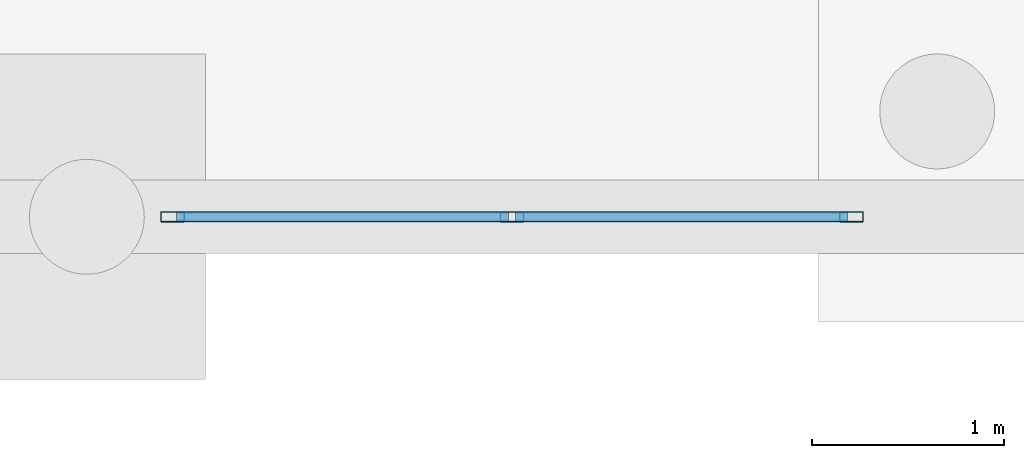
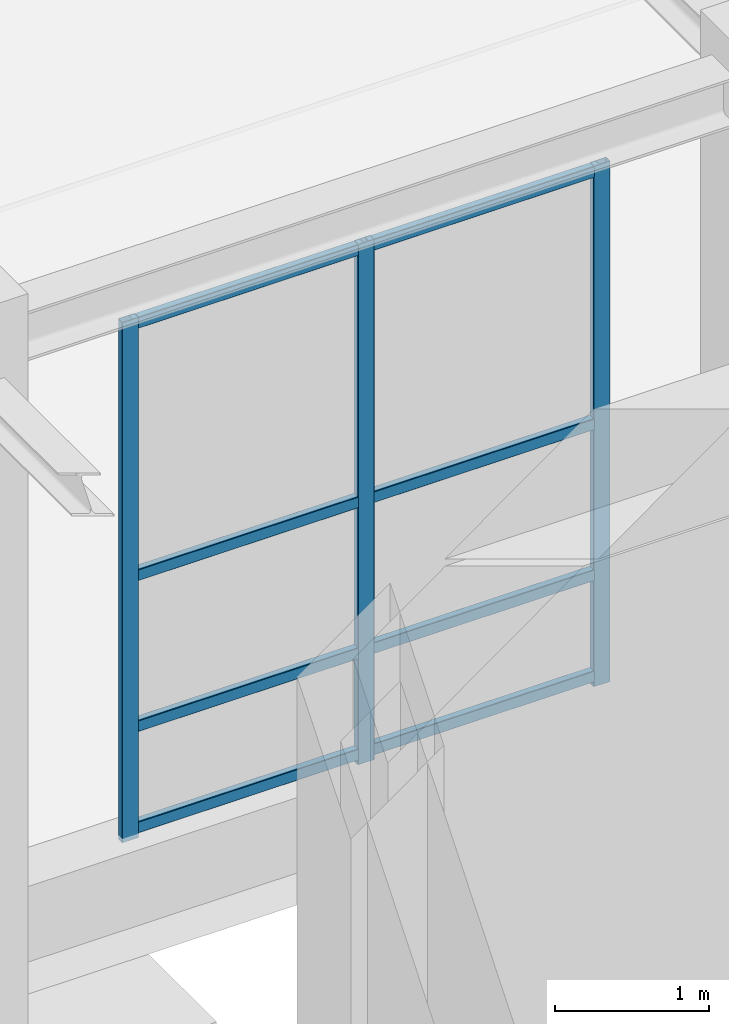
# One storey, part 17 of 53: 11 members, 1 element without a shape of its own.
"""IFC4 building model written with IfcOpenShell, lengths in metres."""

from ifc_helpers import new_model, si_unit, derived_unit, direction, frame, origin, origin_2d, place, context, subcontext, project, spatial, hollow_rectangle, extrude, material, layer, layer_set, material_profile, profile_set, type_object, element, aggregate, save


model = new_model("IFC4")

# Units and contexts
model_context = context("Model", 3, precision=1e-05, world=origin(), true_north=direction((0.0, 1.0)))
body_context = subcontext(model_context, "Body", "Model", "MODEL_VIEW")
ifc_project = project(units=[si_unit("LENGTHUNIT", "METRE"), si_unit("AREAUNIT", "SQUARE_METRE"), si_unit("VOLUMEUNIT", "CUBIC_METRE"), si_unit("PLANEANGLEUNIT", "RADIAN"), si_unit("MASSUNIT", "GRAM", prefix="KILO"), derived_unit("THERMALTRANSMITTANCEUNIT", [(si_unit("POWERUNIT", "WATT"), 1), (si_unit("LENGTHUNIT", "METRE"), -2), (si_unit("THERMODYNAMICTEMPERATUREUNIT", "KELVIN"), -1)])], contexts=[model_context])

# Site, building, storey
site_placement = place(None, origin())
site = spatial("IfcSite", under=ifc_project, at=site_placement, CompositionType="ELEMENT")
building_placement = place(site_placement, origin())
building = spatial("IfcBuilding", under=site, at=building_placement, Name="Almenara Railside Exhibition Hall", CompositionType="ELEMENT")
storey_placement = place(building_placement, origin())
storey = spatial("IfcBuildingStorey", under=building, at=storey_placement, Name="L00", CompositionType="ELEMENT", Elevation=0.0)

# Curtain wall, members
ifc_material_1 = material(Name="Bronze-anodised aluminium and low-E double glazing", Category="aluminium")
ifc_layer = layer(ifc_material_1, 0.179931640625, Name="Bronze-anodised aluminium and low-E double glazing")
ifc_layer_set = layer_set([ifc_layer], Name="Bronze-anodised aluminium and low-E double glazing")
curtain_wall_type = type_object("IfcCurtainWallType", Name="Concourse South Portale Curtain Wall 3600x4100", PredefinedType="NOTDEFINED", material=ifc_layer_set)
curtain_wall_placement = place(storey_placement, origin())
curtain_wall = element("IfcCurtainWall", 1, at=curtain_wall_placement, inside=storey, type_object=curtain_wall_type, Name="Curtain wall CW-PC1-134", PredefinedType="NOTDEFINED")
ifc_material_2 = material(Name="Bronze-anodised aluminium", Category="aluminium")
ifc_material_profile_1 = material_profile(ifc_material_2, hollow_rectangle(XDim=0.054931640625, YDim=0.125, WallThickness=0.0029296875, InnerFilletRadius=0.0029296875, OuterFilletRadius=0.006103515625, at=origin_2d()), Name="ALU-MUL 55x125x3")
ifc_profile_set_1 = profile_set([ifc_material_profile_1], Name="Bronze-anodised aluminium")
member_type_1 = type_object("IfcMemberType", Name="Curtain Wall Mullion 55x125x3", PredefinedType="MULLION", material=ifc_profile_set_1)
member_1_placement = place(storey_placement, frame((115.2275390625, 36.0, 0.56494140625), z_axis=(0.0, 0.0, 1.0), x_axis=(0.0, 1.0, 0.0)))
member_1 = element("IfcMember", 2, at=member_1_placement, type_object=member_type_1, Name="CW-PC1-134 mullion 1", PredefinedType="MULLION", context=body_context, shape_type="SweptSolid", body=[
    extrude(hollow_rectangle(XDim=0.054931640625, YDim=0.125, WallThickness=0.0029296875, InnerFilletRadius=0.0029296875, OuterFilletRadius=0.006103515625, at=origin_2d()), origin(), (0.0, 0.0, 1.0), 4.135009765625),
])
member_2_placement = place(storey_placement, frame((117.0, 36.0, 0.56494140625), z_axis=(0.0, 0.0, 1.0), x_axis=(0.0, 1.0, 0.0)))
member_2 = element("IfcMember", 3, at=member_2_placement, type_object=member_type_1, Name="CW-PC1-134 mullion 2", PredefinedType="MULLION", context=body_context, shape_type="SweptSolid", body=[
    extrude(hollow_rectangle(XDim=0.054931640625, YDim=0.125, WallThickness=0.0029296875, InnerFilletRadius=0.0029296875, OuterFilletRadius=0.006103515625, at=origin_2d()), origin(), (0.0, 0.0, 1.0), 4.135009765625),
])
member_3_placement = place(storey_placement, frame((118.7724609375, 36.0, 0.56494140625), z_axis=(0.0, 0.0, 1.0), x_axis=(0.0, 1.0, 0.0)))
member_3 = element("IfcMember", 4, at=member_3_placement, type_object=member_type_1, Name="CW-PC1-134 mullion 3", PredefinedType="MULLION", context=body_context, shape_type="SweptSolid", body=[
    extrude(hollow_rectangle(XDim=0.054931640625, YDim=0.125, WallThickness=0.0029296875, InnerFilletRadius=0.0029296875, OuterFilletRadius=0.006103515625, at=origin_2d()), origin(), (0.0, 0.0, 1.0), 4.135009765625),
])
ifc_material_profile_2 = material_profile(ifc_material_2, hollow_rectangle(XDim=0.054931640625, YDim=0.090087890625, WallThickness=0.0029296875, InnerFilletRadius=0.0029296875, OuterFilletRadius=0.006103515625, at=origin_2d()), Name="ALU-TRN 55x90x3")
ifc_profile_set_2 = profile_set([ifc_material_profile_2], Name="Bronze-anodised aluminium")
member_type_2 = type_object("IfcMemberType", Name="Curtain Wall Transom 55x90x3", PredefinedType="USERDEFINED", material=ifc_profile_set_2)
member_4_placement = place(storey_placement, frame((115.2470703125, 36.0, 0.64501953125), z_axis=(1.0, 0.0, 0.0), x_axis=(0.0, 1.0, 0.0)))
member_4 = element("IfcMember", 5, at=member_4_placement, type_object=member_type_2, Name="CW-PC1-134 transom 1.1", ObjectType="TRANSOM", PredefinedType="USERDEFINED", context=body_context, shape_type="SweptSolid", body=[
    extrude(hollow_rectangle(XDim=0.054931640625, YDim=0.090087890625, WallThickness=0.0029296875, InnerFilletRadius=0.0029296875, OuterFilletRadius=0.006103515625, at=origin_2d()), origin(), (0.0, 0.0, 1.0), 1.7333984375),
])
member_5_placement = place(storey_placement, frame((115.2470703125, 36.0, 1.449951171875), z_axis=(1.0, 0.0, 0.0), x_axis=(0.0, 1.0, 0.0)))
member_5 = element("IfcMember", 6, at=member_5_placement, type_object=member_type_2, Name="CW-PC1-134 transom 1.2", ObjectType="TRANSOM", PredefinedType="USERDEFINED", context=body_context, shape_type="SweptSolid", body=[
    extrude(hollow_rectangle(XDim=0.054931640625, YDim=0.090087890625, WallThickness=0.0029296875, InnerFilletRadius=0.0029296875, OuterFilletRadius=0.006103515625, at=origin_2d()), origin(), (0.0, 0.0, 1.0), 1.7333984375),
])
member_6_placement = place(storey_placement, frame((115.2470703125, 36.0, 2.64990234375), z_axis=(1.0, 0.0, 0.0), x_axis=(0.0, 1.0, 0.0)))
member_6 = element("IfcMember", 7, at=member_6_placement, type_object=member_type_2, Name="CW-PC1-134 transom 1.3", ObjectType="TRANSOM", PredefinedType="USERDEFINED", context=body_context, shape_type="SweptSolid", body=[
    extrude(hollow_rectangle(XDim=0.054931640625, YDim=0.090087890625, WallThickness=0.0029296875, InnerFilletRadius=0.0029296875, OuterFilletRadius=0.006103515625, at=origin_2d()), origin(), (0.0, 0.0, 1.0), 1.7333984375),
])
member_7_placement = place(storey_placement, frame((115.2470703125, 36.0, 4.655029296875), z_axis=(1.0, 0.0, 0.0), x_axis=(0.0, 1.0, 0.0)))
member_7 = element("IfcMember", 8, at=member_7_placement, type_object=member_type_2, Name="CW-PC1-134 transom 1.4", ObjectType="TRANSOM", PredefinedType="USERDEFINED", context=body_context, shape_type="SweptSolid", body=[
    extrude(hollow_rectangle(XDim=0.054931640625, YDim=0.090087890625, WallThickness=0.0029296875, InnerFilletRadius=0.0029296875, OuterFilletRadius=0.006103515625, at=origin_2d()), origin(), (0.0, 0.0, 1.0), 1.7333984375),
])
member_8_placement = place(storey_placement, frame((117.01953125, 36.0, 0.64501953125), z_axis=(1.0, 0.0, 0.0), x_axis=(0.0, 1.0, 0.0)))
member_8 = element("IfcMember", 9, at=member_8_placement, type_object=member_type_2, Name="CW-PC1-134 transom 2.1", ObjectType="TRANSOM", PredefinedType="USERDEFINED", context=body_context, shape_type="SweptSolid", body=[
    extrude(hollow_rectangle(XDim=0.054931640625, YDim=0.090087890625, WallThickness=0.0029296875, InnerFilletRadius=0.0029296875, OuterFilletRadius=0.006103515625, at=origin_2d()), origin(), (0.0, 0.0, 1.0), 1.7333984375),
])
member_9_placement = place(storey_placement, frame((117.01953125, 36.0, 1.449951171875), z_axis=(1.0, 0.0, 0.0), x_axis=(0.0, 1.0, 0.0)))
member_9 = element("IfcMember", 10, at=member_9_placement, type_object=member_type_2, Name="CW-PC1-134 transom 2.2", ObjectType="TRANSOM", PredefinedType="USERDEFINED", context=body_context, shape_type="SweptSolid", body=[
    extrude(hollow_rectangle(XDim=0.054931640625, YDim=0.090087890625, WallThickness=0.0029296875, InnerFilletRadius=0.0029296875, OuterFilletRadius=0.006103515625, at=origin_2d()), origin(), (0.0, 0.0, 1.0), 1.7333984375),
])
member_10_placement = place(storey_placement, frame((117.01953125, 36.0, 2.64990234375), z_axis=(1.0, 0.0, 0.0), x_axis=(0.0, 1.0, 0.0)))
member_10 = element("IfcMember", 11, at=member_10_placement, type_object=member_type_2, Name="CW-PC1-134 transom 2.3", ObjectType="TRANSOM", PredefinedType="USERDEFINED", context=body_context, shape_type="SweptSolid", body=[
    extrude(hollow_rectangle(XDim=0.054931640625, YDim=0.090087890625, WallThickness=0.0029296875, InnerFilletRadius=0.0029296875, OuterFilletRadius=0.006103515625, at=origin_2d()), origin(), (0.0, 0.0, 1.0), 1.7333984375),
])
member_11_placement = place(storey_placement, frame((117.01953125, 36.0, 4.655029296875), z_axis=(1.0, 0.0, 0.0), x_axis=(0.0, 1.0, 0.0)))
member_11 = element("IfcMember", 12, at=member_11_placement, type_object=member_type_2, Name="CW-PC1-134 transom 2.4", ObjectType="TRANSOM", PredefinedType="USERDEFINED", context=body_context, shape_type="SweptSolid", body=[
    extrude(hollow_rectangle(XDim=0.054931640625, YDim=0.090087890625, WallThickness=0.0029296875, InnerFilletRadius=0.0029296875, OuterFilletRadius=0.006103515625, at=origin_2d()), origin(), (0.0, 0.0, 1.0), 1.7333984375),
])
aggregate(curtain_wall, [member_1, member_2, member_3, member_4, member_5, member_6, member_7, member_8, member_9, member_10, member_11])

save(model, "model.ifc")
